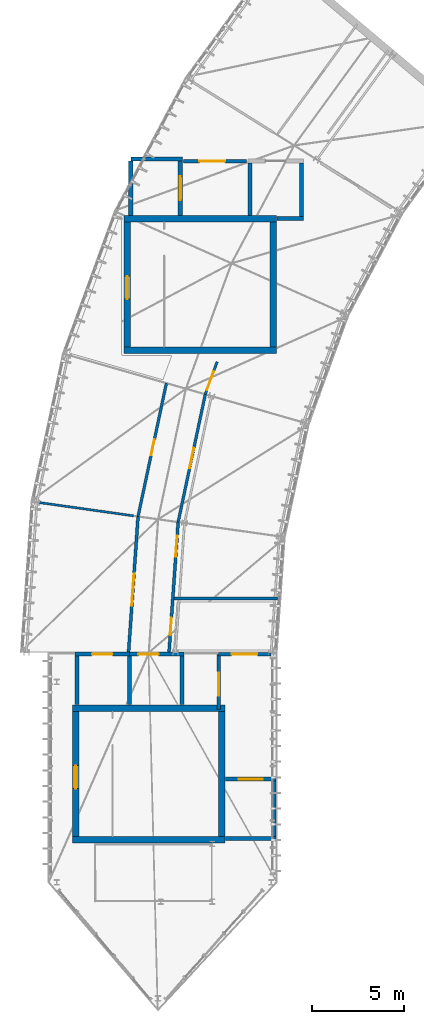
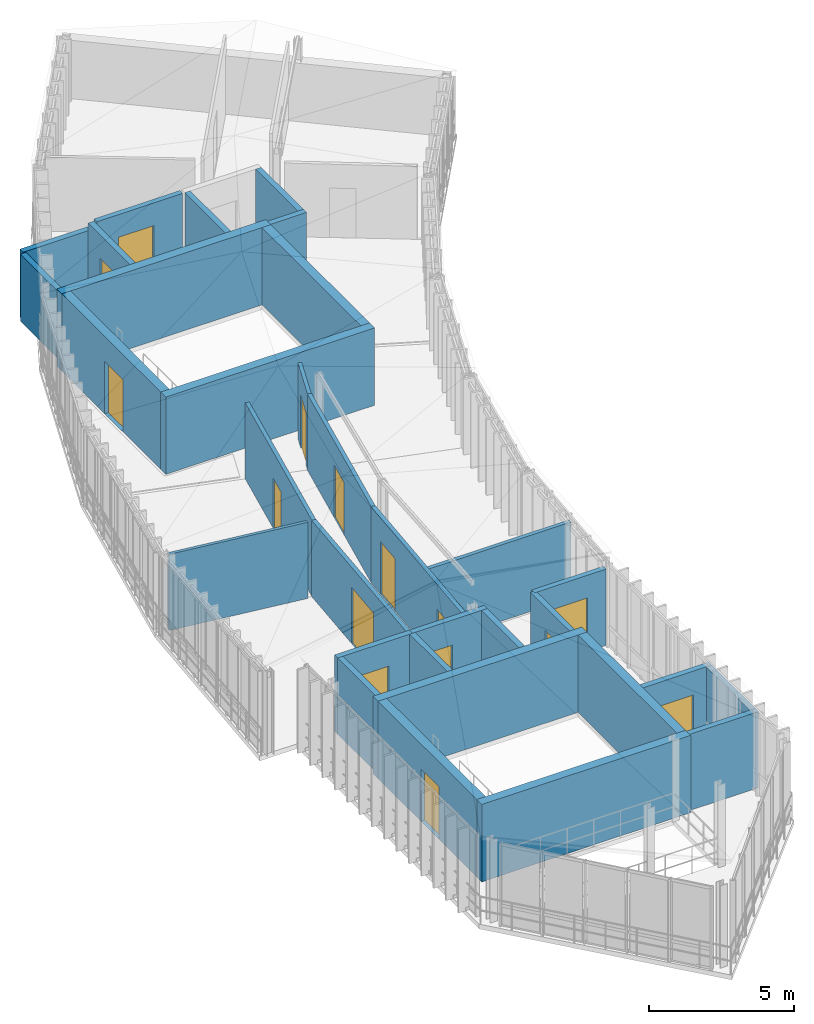
# One storey, part 14 of 18: 32 walls, 15 doors, 15 openings.
"""IFC4 building model written with IfcOpenShell, lengths in metres."""

import ifcopenshell
import ifcopenshell.guid

model = None  # the IFC model being written
_history = None  # IfcOwnerHistory: only IFC2X3 demands one
_inside = {}  # id of a spatial element -> (the spatial element, [elements in it])
_under = {}  # id of a project, library or spatial element -> (it, [spatial elements below it])
_declared = {}  # id of a project -> (the project, [libraries it declares])
_typed = {}  # id of a type object -> (the type object, [elements of that type])
_made_of = {}  # id of a material, layer set ... -> (it, [elements and type objects made of it])


def new_model(schema):
    """Start an empty IFC model of exactly this schema.

    Asked for "IFC4X3", IfcOpenShell would pick the latest addendum, in which some entities
    have other attributes; the version numbers below select the first issue.
    IFC2X3 requires an IfcOwnerHistory on every rooted entity: one is made here for all.
    """
    global model, _history
    if schema == "IFC4X3":
        model = ifcopenshell.file(schema_version=(4, 3, 0, 0))
    else:
        model = ifcopenshell.file(schema=schema)
    _inside.clear()
    _under.clear()
    _declared.clear()
    _typed.clear()
    _made_of.clear()
    _history = None
    if model.schema == "IFC2X3":
        org = make("IfcOrganization", Name="unknown")
        user = make(
            "IfcPersonAndOrganization",
            ThePerson=make("IfcPerson", FamilyName="unknown"),
            TheOrganization=org,
        )
        app = make(
            "IfcApplication",
            ApplicationDeveloper=org,
            Version="unknown",
            ApplicationFullName="unknown",
            ApplicationIdentifier="unknown",
        )
        _history = make(
            "IfcOwnerHistory",
            OwningUser=user,
            OwningApplication=app,
            ChangeAction="ADDED",
            CreationDate=0,
        )
    return model


def make(cls, **values):
    """One entity of the class cls with the attributes given. An attribute that is None is left unset."""
    return model.create_entity(
        cls, **{name: value for name, value in values.items() if value is not None}
    )


def rooted(cls, **values):
    """An entity with a GlobalId (a new one), such as an element, a storey or a relation."""
    return make(cls, GlobalId=ifcopenshell.guid.new(), OwnerHistory=_history, **values)


def si_unit(unit_type, name, prefix=None):
    """IfcSIUnit, for example si_unit("LENGTHUNIT", "METRE", prefix="MILLI")."""
    return make("IfcSIUnit", UnitType=unit_type, Prefix=prefix, Name=name)


def assignment(units):
    """IfcUnitAssignment: the units of a project."""
    return None if units is None else make("IfcUnitAssignment", Units=units)


def point(xyz):
    """IfcCartesianPoint."""
    return None if xyz is None else make("IfcCartesianPoint", Coordinates=xyz)


def direction(xyz):
    """IfcDirection."""
    return None if xyz is None else make("IfcDirection", DirectionRatios=xyz)


def frame(location, z_axis=None, x_axis=None):
    """IfcAxis2Placement3D, a coordinate frame: its origin and axes. An axis left out is left unset."""
    return make(
        "IfcAxis2Placement3D",
        Location=point(location),
        Axis=direction(z_axis),
        RefDirection=direction(x_axis),
    )


def frame_2d(location, x_axis=None):
    """IfcAxis2Placement2D, a coordinate frame in the plane: its origin and x axis."""
    return make(
        "IfcAxis2Placement2D", Location=point(location), RefDirection=direction(x_axis)
    )


def origin():
    """The frame at (0, 0, 0) with its axes left unset."""
    return frame((0.0, 0.0, 0.0))


def place(relative_to, where):
    """IfcLocalPlacement: puts the frame where relative to a parent placement (None: the world)."""
    return make(
        "IfcLocalPlacement", PlacementRelTo=relative_to, RelativePlacement=where
    )


def context(
    kind, dimensions, precision=None, world=None, true_north=None, identifier=None
):
    """IfcGeometricRepresentationContext, for example the 3D "Model" context."""
    return make(
        "IfcGeometricRepresentationContext",
        ContextIdentifier=identifier,
        ContextType=kind,
        CoordinateSpaceDimension=dimensions,
        Precision=precision,
        WorldCoordinateSystem=world,
        TrueNorth=true_north,
    )


def subcontext(parent, identifier, kind, view, scale=None):
    """IfcGeometricRepresentationSubContext, for example "Body" below "Model"."""
    return make(
        "IfcGeometricRepresentationSubContext",
        ContextIdentifier=identifier,
        ContextType=kind,
        ParentContext=parent,
        TargetScale=scale,
        TargetView=view,
    )


def project(units=None, contexts=None):
    """IfcProject with its units and contexts."""
    return rooted(
        "IfcProject",
        Name="project",
        RepresentationContexts=contexts,
        UnitsInContext=assignment(units),
    )


def spatial(cls, under=None, at=None, **own):
    """A site, building, storey or space (cls), placed at a placement, below another one or the project."""
    s = rooted(cls, ObjectPlacement=at, **own)
    if under is not None:
        _under.setdefault(under.id(), (under, []))[1].append(s)
    return s


def profile(cls, at=None, kind="AREA", **sizes):
    """A parametric profile (cls). Its sizes go by their IFC names, for example OverallWidth=200.0."""
    return make(cls, ProfileType=kind, Position=at, **sizes)


def rectangle(**sizes):
    """IfcRectangleProfileDef."""
    return profile("IfcRectangleProfileDef", **sizes)


def extrude(swept, where, along, depth):
    """IfcExtrudedAreaSolid: the profile swept, set in the frame where, extruded along a direction by depth."""
    return make(
        "IfcExtrudedAreaSolid",
        SweptArea=swept,
        Position=where,
        ExtrudedDirection=direction(along),
        Depth=depth,
    )


def shape(context_of_items, identifier, shape_type, items):
    """IfcShapeRepresentation: the items that make up one representation, for example the "Body"."""
    return make(
        "IfcShapeRepresentation",
        ContextOfItems=context_of_items,
        RepresentationIdentifier=identifier,
        RepresentationType=shape_type,
        Items=items,
    )


def material(Name=None, Category=None):
    """IfcMaterial."""
    return make("IfcMaterial", Name=Name, Category=Category)


def layer(
    of_material, thickness, ventilated=None, Name=None, Category=None, Priority=None
):
    """IfcMaterialLayer: one layer of a wall or slab, of a material (None: an air gap)."""
    return make(
        "IfcMaterialLayer",
        Material=of_material,
        LayerThickness=thickness,
        IsVentilated=ventilated,
        Name=Name,
        Category=Category,
        Priority=Priority,
    )


def layer_set(layers, Name=None):
    """IfcMaterialLayerSet."""
    return make("IfcMaterialLayerSet", MaterialLayers=layers, LayerSetName=Name)


def made_of(thing, what):
    """Note that an element or type object is made of a material, layer set ...; save() writes the relation."""
    if what is not None:
        _made_of.setdefault(what.id(), (what, []))[1].append(thing)
    return thing


def type_object(cls, material=None, **own):
    """A type object (cls), such as IfcWallType, which elements share."""
    return made_of(rooted(cls, **own), material)


def element(
    cls,
    number,
    at=None,
    inside=None,
    cuts=None,
    type_object=None,
    material=None,
    context=None,
    identifier="Body",
    shape_type=None,
    held_by="IfcProductDefinitionShape",
    body=None,
    shapes=None,
    **own,
):
    """One element of the class cls, such as IfcWall. Its Tag is "e" and its number.

    at: its placement. inside: the storey or other place that contains it. cuts: it is an
    opening in that element (IfcRelVoidsElement). A single representation is given by context,
    identifier, shape_type and body (its items); several are given by shapes. held_by: the class
    of the entity that holds the representations. save() writes the other relations.
    """
    e = rooted(cls, Tag="e%d" % number, ObjectPlacement=at, **own)
    if body is not None:
        shapes = [shape(context, identifier, shape_type, body)]
    if shapes is not None:
        e.Representation = make(held_by, Representations=shapes)
    if inside is not None:
        _inside.setdefault(inside.id(), (inside, []))[1].append(e)
    if cuts is not None:
        rooted(
            "IfcRelVoidsElement", RelatingBuildingElement=cuts, RelatedOpeningElement=e
        )
    if type_object is not None:
        _typed.setdefault(type_object.id(), (type_object, []))[1].append(e)
    return made_of(e, material)


def fill(opening, filler):
    """IfcRelFillsElement: the door or window that sits in an opening."""
    return rooted(
        "IfcRelFillsElement",
        RelatingOpeningElement=opening,
        RelatedBuildingElement=filler,
    )


def aggregate(whole, parts):
    """IfcRelAggregates: a whole, such as a stair, and the parts it consists of."""
    return rooted("IfcRelAggregates", RelatingObject=whole, RelatedObjects=parts)


def save(model, path):
    """Write the relations noted so far, then the file.

    IfcRelAggregates (storeys below a building ...), IfcRelContainedInSpatialStructure (elements
    in a storey), IfcRelDefinesByType, IfcRelAssociatesMaterial and IfcRelDeclares: one each for
    every whole, place, type object, material and project.
    """
    for whole, parts in _under.values():
        aggregate(whole, parts)
    for where, things in _inside.values():
        rooted(
            "IfcRelContainedInSpatialStructure",
            RelatedElements=things,
            RelatingStructure=where,
        )
    for kind, things in _typed.values():
        rooted("IfcRelDefinesByType", RelatedObjects=things, RelatingType=kind)
    for what, things in _made_of.values():
        rooted("IfcRelAssociatesMaterial", RelatedObjects=things, RelatingMaterial=what)
    for by, libraries in _declared.values():
        rooted("IfcRelDeclares", RelatingContext=by, RelatedDefinitions=libraries)
    model.write(path)


model = new_model("IFC4")

# Units and contexts
model_context = context("Model", 3, precision=1e-05, world=origin(), true_north=direction((0.0, 1.0)))
body_context = subcontext(model_context, "Body", "Model", "MODEL_VIEW")
ifc_project = project(units=[si_unit("LENGTHUNIT", "METRE"), si_unit("AREAUNIT", "SQUARE_METRE"), si_unit("VOLUMEUNIT", "CUBIC_METRE"), si_unit("PLANEANGLEUNIT", "RADIAN"), si_unit("MASSUNIT", "GRAM", prefix="KILO"), si_unit("THERMODYNAMICTEMPERATUREUNIT", "KELVIN"), si_unit("POWERUNIT", "WATT")], contexts=[model_context])

# Site, building, storey
site_placement = place(None, origin())
site = spatial("IfcSite", under=ifc_project, at=site_placement, CompositionType="ELEMENT")
building_placement = place(site_placement, origin())
building = spatial("IfcBuilding", under=site, at=building_placement, Name="Solvatero Civic Police Headquarters", CompositionType="ELEMENT")
storey_placement = place(building_placement, frame((0.0, 0.0, 29.39990234375)))
storey = spatial("IfcBuildingStorey", under=building, at=storey_placement, Name="L07", CompositionType="ELEMENT", Elevation=29.39990234375)

# Wall
ifc_material_1 = material(Name="Gypsum Acoustic Stud", Category="gypsum")
ifc_layer_1 = layer(ifc_material_1, 0.1201171875)
ifc_layer_set_1 = layer_set([ifc_layer_1], Name="Gypsum Acoustic Stud")
wall_type_1 = type_object("IfcWallType", Name="WL-PTN-120", PredefinedType="PARTITIONING", material=ifc_layer_set_1)
wall_1_placement = place(storey_placement, frame((41.169189453125, 33.4248046875, 0.0), z_axis=(0.0, 0.0, 1.0), x_axis=(-0.990266484291, 0.13918437445, 0.0)))
element("IfcWall", 1, at=wall_1_placement, inside=storey, type_object=wall_type_1, Name="Interior Partition WLP-L07-ARC-RAD-B11", PredefinedType="PARTITIONING", context=body_context, shape_type="SweptSolid", body=[
    extrude(rectangle(XDim=5.14990234375, YDim=0.1201171875, at=frame_2d((2.574951171875, 0.0))), origin(), (0.0, 0.0, 1.0), 3.2001953125),
])

# Wall, opening, door
ifc_material_2 = material(Name="Gypsum Double-Stud", Category="gypsum")
ifc_layer_2 = layer(ifc_material_2, 0.135009765625)
ifc_layer_set_2 = layer_set([ifc_layer_2], Name="Gypsum Double-Stud")
wall_type_2 = type_object("IfcWallType", Name="WL-PTN-135", PredefinedType="PARTITIONING", material=ifc_layer_set_2)
wall_2_placement = place(storey_placement, frame((45.716064453125, 41.800048828125, 0.0), z_axis=(0.0, 0.0, 1.0), x_axis=(-0.342003187451, -0.939698792046, 0.0)))
wall_2 = element("IfcWall", 2, at=wall_2_placement, inside=storey, type_object=wall_type_2, Name="Interior Partition WLP-L07-ARC-CIN-B10", PredefinedType="PARTITIONING", context=body_context, shape_type="SweptSolid", body=[
    extrude(rectangle(XDim=1.8837890625, YDim=0.135009765625, at=frame_2d((0.94189453125, 0.0))), origin(), (0.0, 0.0, 1.0), 3.2001953125),
])
opening_1_placement = place(wall_2_placement, frame((0.56396484375, 0.0, 0.0)))
opening_1 = element("IfcOpeningElement", 3, at=opening_1_placement, cuts=wall_2, Name="Opening ID-08", PredefinedType="OPENING", context=body_context, shape_type="SweptSolid", body=[
    extrude(rectangle(XDim=1.080078125, YDim=2.219970703125, at=frame_2d((0.5400390625, 1.10986328125))), frame((0.0, 0.077392578125, 0.0), z_axis=(0.0, -1.0, 0.0), x_axis=(1.0, 0.0, 0.0)), (0.0, 0.0, 1.0), 0.155029296875),
])
ifc_material_3 = material(Name="Powder-Coated Steel", Category="steel")
door_type_1 = type_object("IfcDoorType", Name="DR-LAB-108x222", OperationType="NOTDEFINED", PredefinedType="DOOR", material=ifc_material_3)
door_1_placement = place(opening_1_placement, origin())
door_1 = element("IfcDoor", 4, at=door_1_placement, inside=storey, type_object=door_type_1, Name="Interior Door DR-L07-ARC-IN-B10", OperationType="SINGLE_SWING_LEFT", OverallHeight=2.219970703125, OverallWidth=1.080078125, PredefinedType="DOOR", context=body_context, shape_type="SweptSolid", body=[
    extrude(rectangle(XDim=1.080078125, YDim=2.219970703125, at=frame_2d((0.5400390625, 1.10986328125))), frame((0.0, 0.02490234375, 0.0), z_axis=(0.0, -1.0, 0.0), x_axis=(1.0, 0.0, 0.0)), (0.0, 0.0, 1.0), 0.050048828125),
])
fill(opening_1, door_1)

ifc_layer_3 = layer(ifc_material_1, 0.14990234375)
ifc_layer_set_3 = layer_set([ifc_layer_3], Name="Gypsum Acoustic Stud")
wall_type_3 = type_object("IfcWallType", Name="WL-PTN-150", PredefinedType="PARTITIONING", material=ifc_layer_set_3)
wall_3_placement = place(storey_placement, frame((45.07177734375, 40.02978515625, 0.0), z_axis=(0.0, 0.0, 1.0), x_axis=(-0.207903987445, -0.978149238104, 0.0)))
wall_3 = element("IfcWall", 5, at=wall_3_placement, inside=storey, type_object=wall_type_3, Name="Interior Partition WLP-L07-ARC-CIN-B11", PredefinedType="PARTITIONING", context=body_context, shape_type="SweptSolid", body=[
    extrude(rectangle(XDim=7.10107421875, YDim=0.14990234375, at=frame_2d((3.550537109375, 0.0))), origin(), (0.0, 0.0, 1.0), 3.2001953125),
])
opening_2_placement = place(wall_3_placement, frame((2.98193359375, 0.0, 0.0)))
opening_2 = element("IfcOpeningElement", 6, at=opening_2_placement, cuts=wall_3, Name="Opening ID-09", PredefinedType="OPENING", context=body_context, shape_type="SweptSolid", body=[
    extrude(rectangle(XDim=1.1201171875, YDim=2.199951171875, at=frame_2d((0.56005859375, 1.10009765625))), frame((0.0, 0.0849609375, 0.0), z_axis=(0.0, -1.0, 0.0), x_axis=(1.0, 0.0, 0.0)), (0.0, 0.0, 1.0), 0.169921875),
])
door_type_2 = type_object("IfcDoorType", Name="DR-PLT-112x220", OperationType="NOTDEFINED", PredefinedType="DOOR", material=ifc_material_3)
door_2_placement = place(opening_2_placement, origin())
door_2 = element("IfcDoor", 7, at=door_2_placement, inside=storey, type_object=door_type_2, Name="Interior Door DR-L07-ARC-IN-B11", OperationType="SINGLE_SWING_RIGHT", OverallHeight=2.199951171875, OverallWidth=1.1201171875, PredefinedType="DOOR", context=body_context, shape_type="SweptSolid", body=[
    extrude(rectangle(XDim=1.1201171875, YDim=2.199951171875, at=frame_2d((0.56005859375, 1.10009765625))), frame((0.0, 0.02490234375, 0.0), z_axis=(0.0, -1.0, 0.0), x_axis=(1.0, 0.0, 0.0)), (0.0, 0.0, 1.0), 0.050048828125),
])
fill(opening_2, door_2)

wall_4_placement = place(storey_placement, frame((42.95703125, 40.63623046875, 0.0), z_axis=(0.0, 0.0, 1.0), x_axis=(-0.207921820376, -0.978145447575, 0.0)))
wall_4 = element("IfcWall", 8, at=wall_4_placement, inside=storey, type_object=wall_type_3, Name="Interior Partition WLP-L07-ARC-COUT-B11", PredefinedType="PARTITIONING", context=body_context, shape_type="SweptSolid", body=[
    extrude(rectangle(XDim=7.407958984375, YDim=0.14990234375, at=frame_2d((3.7041015625, 0.0))), origin(), (0.0, 0.0, 1.0), 3.2001953125),
])
opening_3_placement = place(wall_4_placement, frame((3.111083984375, 0.0, 0.0)))
opening_3 = element("IfcOpeningElement", 9, at=opening_3_placement, cuts=wall_4, Name="Opening ID-02", PredefinedType="OPENING", context=body_context, shape_type="SweptSolid", body=[
    extrude(rectangle(XDim=0.89990234375, YDim=2.10009765625, at=frame_2d((0.449951171875, 1.050048828125))), frame((0.0, 0.0849609375, 0.0), z_axis=(0.0, -1.0, 0.0), x_axis=(1.0, 0.0, 0.0)), (0.0, 0.0, 1.0), 0.169921875),
])
ifc_material_4 = material(Name="Acoustic Oak Timber Veneer", Category="wood")
door_type_3 = type_object("IfcDoorType", Name="DR-OFF-090x210", OperationType="NOTDEFINED", PredefinedType="DOOR", material=ifc_material_4)
door_3_placement = place(opening_3_placement, origin())
door_3 = element("IfcDoor", 10, at=door_3_placement, inside=storey, type_object=door_type_3, Name="Interior Door DR-L07-ARC-OUT-B11", OperationType="SINGLE_SWING_LEFT", OverallHeight=2.10009765625, OverallWidth=0.89990234375, PredefinedType="DOOR", context=body_context, shape_type="SweptSolid", body=[
    extrude(rectangle(XDim=0.89990234375, YDim=2.10009765625, at=frame_2d((0.449951171875, 1.050048828125))), frame((0.0, 0.02490234375, 0.0), z_axis=(0.0, -1.0, 0.0), x_axis=(1.0, 0.0, 0.0)), (0.0, 0.0, 1.0), 0.050048828125),
])
fill(opening_3, door_3)

# Wall
wall_5_placement = place(storey_placement, frame((43.374755859375, 28.929931640625, 0.0), z_axis=(0.0, 0.0, 1.0), x_axis=(1.0, 0.0, 0.0)))
element("IfcWall", 11, at=wall_5_placement, inside=storey, type_object=wall_type_3, Name="Interior Partition WLP-L07-ARC-WCDIV-B12", PredefinedType="PARTITIONING", context=body_context, shape_type="SweptSolid", body=[
    extrude(rectangle(XDim=5.630126953125, YDim=0.14990234375, at=frame_2d((2.81494140625, 0.0))), origin(), (0.0, 0.0, 1.0), 3.2001953125),
])

# Wall, openings, doors
ifc_material_5 = material(Name="Concrete Blockwork", Category="masonry")
ifc_layer_4 = layer(ifc_material_5, 0.1650390625)
ifc_layer_set_4 = layer_set([ifc_layer_4], Name="Concrete Blockwork")
wall_type_4 = type_object("IfcWallType", Name="WL-PTN-165", PredefinedType="PARTITIONING", material=ifc_layer_set_4)
wall_6_placement = place(storey_placement, frame((43.595458984375, 33.083984375, 0.0), z_axis=(0.0, 0.0, 1.0), x_axis=(-0.069756597752, -0.997564041588, 0.0)))
wall_6 = element("IfcWall", 12, at=wall_6_placement, inside=storey, type_object=wall_type_4, Name="Interior Partition WLP-L07-ARC-CIN-B12", PredefinedType="PARTITIONING", context=body_context, shape_type="SweptSolid", body=[
    extrude(rectangle(XDim=7.101318359375, YDim=0.1650390625, at=frame_2d((3.55078125, 0.0))), origin(), (0.0, 0.0, 1.0), 3.2001953125),
])
opening_4_placement = place(wall_6_placement, frame((5.200927734375, 0.0, 0.0)))
opening_4 = element("IfcOpeningElement", 13, at=opening_4_placement, cuts=wall_6, Name="Opening ID-04", PredefinedType="OPENING", context=body_context, shape_type="SweptSolid", body=[
    extrude(rectangle(XDim=0.949951171875, YDim=2.14990234375, at=frame_2d((0.47509765625, 1.074951171875))), frame((0.0, 0.092529296875, 0.0), z_axis=(0.0, -1.0, 0.0), x_axis=(1.0, 0.0, 0.0)), (0.0, 0.0, 1.0), 0.18505859375),
])
opening_5_placement = place(wall_6_placement, frame((0.75, 0.0, 0.0)))
opening_5 = element("IfcOpeningElement", 14, at=opening_5_placement, cuts=wall_6, Name="Opening ID-10", PredefinedType="OPENING", context=body_context, shape_type="SweptSolid", body=[
    extrude(rectangle(XDim=1.14990234375, YDim=2.199951171875, at=frame_2d((0.574951171875, 1.10009765625))), frame((0.0, 0.092529296875, 0.0), z_axis=(0.0, -1.0, 0.0), x_axis=(1.0, 0.0, 0.0)), (0.0, 0.0, 1.0), 0.18505859375),
])
door_type_4 = type_object("IfcDoorType", Name="DR-ACC-095x215", OperationType="NOTDEFINED", PredefinedType="DOOR", material=ifc_material_4)
door_4_placement = place(opening_4_placement, origin())
door_4 = element("IfcDoor", 15, at=door_4_placement, inside=storey, type_object=door_type_4, Name="Interior Door DR-L07-ARC-WC-B12", OperationType="SINGLE_SWING_RIGHT", OverallHeight=2.14990234375, OverallWidth=0.949951171875, PredefinedType="DOOR", context=body_context, shape_type="SweptSolid", body=[
    extrude(rectangle(XDim=0.949951171875, YDim=2.14990234375, at=frame_2d((0.47509765625, 1.074951171875))), frame((0.0, 0.02490234375, 0.0), z_axis=(0.0, -1.0, 0.0), x_axis=(1.0, 0.0, 0.0)), (0.0, 0.0, 1.0), 0.050048828125),
])
fill(opening_4, door_4)
door_type_5 = type_object("IfcDoorType", Name="DR-COR-115x220", OperationType="NOTDEFINED", PredefinedType="DOOR", material=ifc_material_3)
door_5_placement = place(opening_5_placement, origin())
door_5 = element("IfcDoor", 16, at=door_5_placement, inside=storey, type_object=door_type_5, Name="Interior Door DR-L07-ARC-IN-B12", OperationType="SINGLE_SWING_LEFT", OverallHeight=2.199951171875, OverallWidth=1.14990234375, PredefinedType="DOOR", context=body_context, shape_type="SweptSolid", body=[
    extrude(rectangle(XDim=1.14990234375, YDim=2.199951171875, at=frame_2d((0.574951171875, 1.10009765625))), frame((0.0, 0.02490234375, 0.0), z_axis=(0.0, -1.0, 0.0), x_axis=(1.0, 0.0, 0.0)), (0.0, 0.0, 1.0), 0.050048828125),
])
fill(opening_5, door_5)

# Wall, opening, door
wall_7_placement = place(storey_placement, frame((41.416748046875, 33.39013671875, 0.0), z_axis=(0.0, 0.0, 1.0), x_axis=(-0.069766817412, -0.997563326906, 0.0)))
wall_7 = element("IfcWall", 17, at=wall_7_placement, inside=storey, type_object=wall_type_4, Name="Interior Partition WLP-L07-ARC-COUT-B12", PredefinedType="PARTITIONING", context=body_context, shape_type="SweptSolid", body=[
    extrude(rectangle(XDim=7.408203125, YDim=0.1650390625, at=frame_2d((3.7041015625, 0.0))), origin(), (0.0, 0.0, 1.0), 3.2001953125),
])
opening_6_placement = place(wall_7_placement, frame((3.111083984375, 0.0, 0.0)))
opening_6 = element("IfcOpeningElement", 18, at=opening_6_placement, cuts=wall_7, Name="Opening ID-17", PredefinedType="OPENING", context=body_context, shape_type="SweptSolid", body=[
    extrude(rectangle(XDim=1.760009765625, YDim=2.360107421875, at=frame_2d((0.8798828125, 1.18017578125))), frame((0.0, 0.092529296875, 0.0), z_axis=(0.0, -1.0, 0.0), x_axis=(1.0, 0.0, 0.0)), (0.0, 0.0, 1.0), 0.18505859375),
])
door_type_6 = type_object("IfcDoorType", Name="DR-DBL-176x236", OperationType="NOTDEFINED", PredefinedType="DOOR", material=ifc_material_3)
door_6_placement = place(opening_6_placement, origin())
door_6 = element("IfcDoor", 19, at=door_6_placement, inside=storey, type_object=door_type_6, Name="Interior Door DR-L07-ARC-OUT-B12", OperationType="DOUBLE_DOOR_SINGLE_SWING", OverallHeight=2.360107421875, OverallWidth=1.760009765625, PredefinedType="DOOR", context=body_context, shape_type="SweptSolid", body=[
    extrude(rectangle(XDim=1.760009765625, YDim=2.360107421875, at=frame_2d((0.8798828125, 1.18017578125))), frame((0.0, 0.02490234375, 0.0), z_axis=(0.0, -1.0, 0.0), x_axis=(1.0, 0.0, 0.0)), (0.0, 0.0, 1.0), 0.050048828125),
])
fill(opening_6, door_6)

ifc_layer_5 = layer(ifc_material_5, 0.199951171875)
ifc_layer_set_5 = layer_set([ifc_layer_5], Name="Concrete Blockwork")
wall_type_5 = type_object("IfcWallType", Name="WL-PTN-200", PredefinedType="PARTITIONING", material=ifc_layer_set_5)
wall_8_placement = place(storey_placement, frame((45.800048828125, 22.89990234375, 0.0), z_axis=(0.0, 0.0, 1.0), x_axis=(0.0, 1.0, 0.0)))
wall_8 = element("IfcWall", 20, at=wall_8_placement, inside=storey, type_object=wall_type_5, Name="Interior Partition WLP-FFL-C1-L07-W", PredefinedType="PARTITIONING", context=body_context, shape_type="SweptSolid", body=[
    extrude(rectangle(XDim=3.0, YDim=0.199951171875, at=frame_2d((1.5, 0.0))), origin(), (0.0, 0.0, 1.0), 3.2001953125),
])
opening_7_placement = place(wall_8_placement, frame((0.75, 0.0, 0.0)))
opening_7 = element("IfcOpeningElement", 21, at=opening_7_placement, cuts=wall_8, Name="Opening FD-01", PredefinedType="OPENING", context=body_context, shape_type="SweptSolid", body=[
    extrude(rectangle(XDim=1.25, YDim=2.199951171875, at=frame_2d((0.625, 1.10009765625))), frame((0.0, 0.10986328125, 0.0), z_axis=(0.0, -1.0, 0.0), x_axis=(1.0, 0.0, 0.0)), (0.0, 0.0, 1.0), 0.219970703125),
])
door_type_7 = type_object("IfcDoorType", Name="DR-STR-125x220", OperationType="NOTDEFINED", PredefinedType="DOOR", material=ifc_material_3)
door_7_placement = place(opening_7_placement, origin())
door_7 = element("IfcDoor", 22, at=door_7_placement, inside=storey, type_object=door_type_7, Name="Interior Door DR-FFL-C1-L07-W", OperationType="SINGLE_SWING_LEFT", OverallHeight=2.199951171875, OverallWidth=1.25, PredefinedType="DOOR", context=body_context, shape_type="SweptSolid", body=[
    extrude(rectangle(XDim=1.25, YDim=2.199951171875, at=frame_2d((0.625, 1.10009765625))), frame((0.0, 0.02490234375, 0.0), z_axis=(0.0, -1.0, 0.0), x_axis=(1.0, 0.0, 0.0)), (0.0, 0.0, 1.0), 0.050048828125),
])
fill(opening_7, door_7)

wall_9_placement = place(storey_placement, frame((45.800048828125, 25.89990234375, 0.0), z_axis=(0.0, 0.0, 1.0), x_axis=(1.0, 0.0, 0.0)))
wall_9 = element("IfcWall", 23, at=wall_9_placement, inside=storey, type_object=wall_type_5, Name="Interior Partition WLP-FFL-C1-L07-N", PredefinedType="PARTITIONING", context=body_context, shape_type="SweptSolid", body=[
    extrude(rectangle(XDim=2.849853515625, YDim=0.199951171875, at=frame_2d((1.4248046875, 0.0))), origin(), (0.0, 0.0, 1.0), 3.2001953125),
])
opening_8_placement = place(wall_9_placement, frame((0.699951171875, 0.0, 0.0)))
opening_8 = element("IfcOpeningElement", 24, at=opening_8_placement, cuts=wall_9, Name="Opening FD-02", PredefinedType="OPENING", context=body_context, shape_type="SweptSolid", body=[
    extrude(rectangle(XDim=1.39990234375, YDim=2.25, at=frame_2d((0.699951171875, 1.125))), frame((0.0, 0.10986328125, 0.0), z_axis=(0.0, -1.0, 0.0), x_axis=(1.0, 0.0, 0.0)), (0.0, 0.0, 1.0), 0.219970703125),
])
door_type_8 = type_object("IfcDoorType", Name="DR-LOB-140x225", OperationType="NOTDEFINED", PredefinedType="DOOR", material=ifc_material_3)
door_8_placement = place(opening_8_placement, origin())
door_8 = element("IfcDoor", 25, at=door_8_placement, inside=storey, type_object=door_type_8, Name="Interior Door DR-FFL-C1-L07-ACC", OperationType="DOUBLE_DOOR_SINGLE_SWING", OverallHeight=2.25, OverallWidth=1.39990234375, PredefinedType="DOOR", context=body_context, shape_type="SweptSolid", body=[
    extrude(rectangle(XDim=1.39990234375, YDim=2.25, at=frame_2d((0.699951171875, 1.125))), frame((0.0, 0.02490234375, 0.0), z_axis=(0.0, -1.0, 0.0), x_axis=(1.0, 0.0, 0.0)), (0.0, 0.0, 1.0), 0.050048828125),
])
fill(opening_8, door_8)

wall_10_placement = place(storey_placement, frame((43.89990234375, 52.699951171875, 0.0), z_axis=(0.0, 0.0, 1.0), x_axis=(1.0, 0.0, 0.0)))
wall_10 = element("IfcWall", 26, at=wall_10_placement, inside=storey, type_object=wall_type_5, Name="Interior Partition WLP-FFL-C2-L07-N", PredefinedType="PARTITIONING", context=body_context, shape_type="SweptSolid", body=[
    extrude(rectangle(XDim=3.400146484375, YDim=0.199951171875, at=frame_2d((1.7001953125, 0.0))), origin(), (0.0, 0.0, 1.0), 3.2001953125),
])
opening_9_placement = place(wall_10_placement, frame((0.85009765625, 0.0, 0.0)))
opening_9 = element("IfcOpeningElement", 27, at=opening_9_placement, cuts=wall_10, Name="Opening FD-02", PredefinedType="OPENING", context=body_context, shape_type="SweptSolid", body=[
    extrude(rectangle(XDim=1.39990234375, YDim=2.25, at=frame_2d((0.699951171875, 1.125))), frame((0.0, 0.10986328125, 0.0), z_axis=(0.0, -1.0, 0.0), x_axis=(1.0, 0.0, 0.0)), (0.0, 0.0, 1.0), 0.219970703125),
])
door_9_placement = place(opening_9_placement, origin())
door_9 = element("IfcDoor", 28, at=door_9_placement, inside=storey, type_object=door_type_8, Name="Interior Door DR-FFL-C2-L07-ACC", OperationType="DOUBLE_DOOR_SINGLE_SWING", OverallHeight=2.25, OverallWidth=1.39990234375, PredefinedType="DOOR", context=body_context, shape_type="SweptSolid", body=[
    extrude(rectangle(XDim=1.39990234375, YDim=2.25, at=frame_2d((0.699951171875, 1.125))), frame((0.0, 0.02490234375, 0.0), z_axis=(0.0, -1.0, 0.0), x_axis=(1.0, 0.0, 0.0)), (0.0, 0.0, 1.0), 0.050048828125),
])
fill(opening_9, door_9)

# Wall
ifc_material_6 = material(Name="Concrete C35/45", Category="concrete")
ifc_layer_6 = layer(ifc_material_6, 0.219970703125)
ifc_layer_set_6 = layer_set([ifc_layer_6], Name="Concrete C35/45")
wall_type_6 = type_object("IfcWallType", Name="WL-SHF-220", PredefinedType="PARTITIONING", material=ifc_layer_set_6)
wall_11_placement = place(storey_placement, frame((46.159912109375, 15.889892578125, 0.0), z_axis=(0.0, 0.0, 1.0), x_axis=(1.0, 0.0, 0.0)))
element("IfcWall", 29, at=wall_11_placement, inside=storey, type_object=wall_type_6, Name="Lift Shaft Wall WLS-FL-01-L07-S", PredefinedType="PARTITIONING", context=body_context, shape_type="SweptSolid", body=[
    extrude(rectangle(XDim=2.760009765625, YDim=0.219970703125, at=frame_2d((1.3798828125, 0.0))), origin(), (0.0, 0.0, 1.0), 3.2001953125),
])

# Wall, opening, door
wall_12_placement = place(storey_placement, frame((46.159912109375, 19.110107421875, 0.0), z_axis=(0.0, 0.0, 1.0), x_axis=(1.0, 0.0, 0.0)))
wall_12 = element("IfcWall", 30, at=wall_12_placement, inside=storey, type_object=wall_type_6, Name="Lift Shaft Wall WLS-FL-01-L07-N", PredefinedType="PARTITIONING", context=body_context, shape_type="SweptSolid", body=[
    extrude(rectangle(XDim=2.760009765625, YDim=0.219970703125, at=frame_2d((1.3798828125, 0.0))), origin(), (0.0, 0.0, 1.0), 3.2001953125),
])
opening_10_placement = place(wall_12_placement, frame((0.72998046875, 0.0, 0.0)))
opening_10 = element("IfcOpeningElement", 31, at=opening_10_placement, cuts=wall_12, Name="Opening LD-02", PredefinedType="OPENING", context=body_context, shape_type="SweptSolid", body=[
    extrude(rectangle(XDim=1.300048828125, YDim=2.199951171875, at=frame_2d((0.64990234375, 1.10009765625))), frame((0.0, 0.119873046875, 0.0), z_axis=(0.0, -1.0, 0.0), x_axis=(1.0, 0.0, 0.0)), (0.0, 0.0, 1.0), 0.239990234375),
])
ifc_material_7 = material(Name="Stainless Steel Grade 316", Category="steel")
door_type_9 = type_object("IfcDoorType", Name="DR-LFT-130x220", OperationType="DOUBLE_DOOR_SLIDING", PredefinedType="DOOR", material=ifc_material_7)
door_10_placement = place(opening_10_placement, origin())
door_10 = element("IfcDoor", 32, at=door_10_placement, inside=storey, type_object=door_type_9, Name="Interior Door DR-LFT-FL-01-L07", OperationType="DOUBLE_DOOR_SLIDING", OverallHeight=2.199951171875, OverallWidth=1.300048828125, PredefinedType="DOOR", context=body_context, shape_type="SweptSolid", body=[
    extrude(rectangle(XDim=1.300048828125, YDim=2.199951171875, at=frame_2d((0.64990234375, 1.10009765625))), frame((0.0, 0.02490234375, 0.0), z_axis=(0.0, -1.0, 0.0), x_axis=(1.0, 0.0, 0.0)), (0.0, 0.0, 1.0), 0.050048828125),
])
fill(opening_10, door_10)

# Wall
wall_13_placement = place(storey_placement, frame((48.81005859375, 16.0, 0.0), z_axis=(0.0, 0.0, 1.0), x_axis=(0.0, 1.0, 0.0)))
element("IfcWall", 33, at=wall_13_placement, inside=storey, type_object=wall_type_6, Name="Lift Shaft Wall WLS-FL-01-L07-E", PredefinedType="PARTITIONING", context=body_context, shape_type="SweptSolid", body=[
    extrude(rectangle(XDim=3.0, YDim=0.219970703125, at=frame_2d((1.5, 0.0))), origin(), (0.0, 0.0, 1.0), 3.2001953125),
])

# Wall, opening, door
wall_14_placement = place(storey_placement, frame((37.97998046875, 25.909912109375, 0.0), z_axis=(0.0, 0.0, 1.0), x_axis=(1.0, 0.0, 0.0)))
wall_14 = element("IfcWall", 34, at=wall_14_placement, inside=storey, type_object=wall_type_6, Name="Lift Shaft Wall WLS-LP-01-L07-N", PredefinedType="PARTITIONING", context=body_context, shape_type="SweptSolid", body=[
    extrude(rectangle(XDim=2.969970703125, YDim=0.219970703125, at=frame_2d((1.48486328125, 0.0))), origin(), (0.0, 0.0, 1.0), 3.2001953125),
])
opening_11_placement = place(wall_14_placement, frame((0.93505859375, 0.0, 0.0)))
opening_11 = element("IfcOpeningElement", 35, at=opening_11_placement, cuts=wall_14, Name="Opening LD-01", PredefinedType="OPENING", context=body_context, shape_type="SweptSolid", body=[
    extrude(rectangle(XDim=1.10009765625, YDim=2.14990234375, at=frame_2d((0.550048828125, 1.074951171875))), frame((0.0, 0.119873046875, 0.0), z_axis=(0.0, -1.0, 0.0), x_axis=(1.0, 0.0, 0.0)), (0.0, 0.0, 1.0), 0.239990234375),
])
door_type_10 = type_object("IfcDoorType", Name="DR-LFT-110x215", OperationType="DOUBLE_DOOR_SLIDING", PredefinedType="DOOR", material=ifc_material_7)
door_11_placement = place(opening_11_placement, origin())
door_11 = element("IfcDoor", 36, at=door_11_placement, inside=storey, type_object=door_type_10, Name="Interior Door DR-LFT-LP-01-L07", OperationType="DOUBLE_DOOR_SLIDING", OverallHeight=2.14990234375, OverallWidth=1.10009765625, PredefinedType="DOOR", context=body_context, shape_type="SweptSolid", body=[
    extrude(rectangle(XDim=1.10009765625, YDim=2.14990234375, at=frame_2d((0.550048828125, 1.074951171875))), frame((0.0, 0.02490234375, 0.0), z_axis=(0.0, -1.0, 0.0), x_axis=(1.0, 0.0, 0.0)), (0.0, 0.0, 1.0), 0.050048828125),
])
fill(opening_11, door_11)

# Walls
for number, where, z_axis, x_axis, name in (
    (37, (38.090087890625, 23.159912109375, 0.0), (0.0, 0.0, 1.0), (0.0, 1.0, 0.0), "Lift Shaft Wall WLS-LP-01-L07-W"),
    (38, (40.949951171875, 23.159912109375, 0.0), (0.0, 0.0, 1.0), (0.0, 1.0, 0.0), "Lift Shaft Wall WLS-LP-01-L07-E"),
):
    element("IfcWall", number, at=place(storey_placement, frame(where, z_axis=z_axis, x_axis=x_axis)), inside=storey, type_object=wall_type_6, Name=name, PredefinedType="PARTITIONING", context=body_context, shape_type="SweptSolid", body=[
        extrude(rectangle(XDim=2.64013671875, YDim=0.219970703125, at=frame_2d((1.320068359375, 0.0))), origin(), (0.0, 0.0, 1.0), 3.2001953125),
    ])

# Wall, opening, door
wall_15_placement = place(storey_placement, frame((40.949951171875, 25.909912109375, 0.0), z_axis=(0.0, 0.0, 1.0), x_axis=(1.0, 0.0, 0.0)))
wall_15 = element("IfcWall", 39, at=wall_15_placement, inside=storey, type_object=wall_type_6, Name="Lift Shaft Wall WLS-LP-02-L07-N", PredefinedType="PARTITIONING", context=body_context, shape_type="SweptSolid", body=[
    extrude(rectangle(XDim=2.969970703125, YDim=0.219970703125, at=frame_2d((1.48486328125, 0.0))), origin(), (0.0, 0.0, 1.0), 3.2001953125),
])
opening_12_placement = place(wall_15_placement, frame((0.485107421875, 0.0, 0.0)))
opening_12 = element("IfcOpeningElement", 40, at=opening_12_placement, cuts=wall_15, Name="Opening LD-01", PredefinedType="OPENING", context=body_context, shape_type="SweptSolid", body=[
    extrude(rectangle(XDim=1.10009765625, YDim=2.14990234375, at=frame_2d((0.550048828125, 1.074951171875))), frame((0.0, 0.119873046875, 0.0), z_axis=(0.0, -1.0, 0.0), x_axis=(1.0, 0.0, 0.0)), (0.0, 0.0, 1.0), 0.239990234375),
])
door_12_placement = place(opening_12_placement, origin())
door_12 = element("IfcDoor", 41, at=door_12_placement, inside=storey, type_object=door_type_10, Name="Interior Door DR-LFT-LP-02-L07", OperationType="DOUBLE_DOOR_SLIDING", OverallHeight=2.14990234375, OverallWidth=1.10009765625, PredefinedType="DOOR", context=body_context, shape_type="SweptSolid", body=[
    extrude(rectangle(XDim=1.10009765625, YDim=2.14990234375, at=frame_2d((0.550048828125, 1.074951171875))), frame((0.0, 0.02490234375, 0.0), z_axis=(0.0, -1.0, 0.0), x_axis=(1.0, 0.0, 0.0)), (0.0, 0.0, 1.0), 0.050048828125),
])
fill(opening_12, door_12)

# Walls
wall_16_placement = place(storey_placement, frame((43.81005859375, 23.159912109375, 0.0), z_axis=(0.0, 0.0, 1.0), x_axis=(0.0, 1.0, 0.0)))
element("IfcWall", 42, at=wall_16_placement, inside=storey, type_object=wall_type_6, Name="Lift Shaft Wall WLS-LP-02-L07-E", PredefinedType="PARTITIONING", context=body_context, shape_type="SweptSolid", body=[
    extrude(rectangle(XDim=2.64013671875, YDim=0.219970703125, at=frame_2d((1.320068359375, 0.0))), origin(), (0.0, 0.0, 1.0), 3.2001953125),
])
wall_17_placement = place(storey_placement, frame((41.02001953125, 52.81005859375, 0.0), z_axis=(0.0, 0.0, 1.0), x_axis=(1.0, 0.0, 0.0)))
element("IfcWall", 43, at=wall_17_placement, inside=storey, type_object=wall_type_6, Name="Lift Shaft Wall WLS-FL-02-L07-N", PredefinedType="PARTITIONING", context=body_context, shape_type="SweptSolid", body=[
    extrude(rectangle(XDim=2.800048828125, YDim=0.219970703125, at=frame_2d((1.39990234375, 0.0))), origin(), (0.0, 0.0, 1.0), 2.8662109375),
])
wall_18_placement = place(storey_placement, frame((41.02001953125, 49.760009765625, 0.0), z_axis=(0.0, 0.0, 1.0), x_axis=(0.0, 1.0, 0.0)))
element("IfcWall", 44, at=wall_18_placement, inside=storey, type_object=wall_type_6, Name="Lift Shaft Wall WLS-FL-02-L07-W", PredefinedType="PARTITIONING", context=body_context, shape_type="SweptSolid", body=[
    extrude(rectangle(XDim=2.93994140625, YDim=0.219970703125, at=frame_2d((1.469970703125, 0.0))), origin(), (0.0, 0.0, 1.0), 2.825927734375),
])

# Wall, opening, door
wall_19_placement = place(storey_placement, frame((43.7099609375, 49.760009765625, 0.0), z_axis=(0.0, 0.0, 1.0), x_axis=(0.0, 1.0, 0.0)))
wall_19 = element("IfcWall", 45, at=wall_19_placement, inside=storey, type_object=wall_type_6, Name="Lift Shaft Wall WLS-FL-02-L07-E", PredefinedType="PARTITIONING", context=body_context, shape_type="SweptSolid", body=[
    extrude(rectangle(XDim=2.93994140625, YDim=0.219970703125, at=frame_2d((1.469970703125, 0.0))), origin(), (0.0, 0.0, 1.0), 3.193603515625),
])
opening_13_placement = place(wall_19_placement, frame((0.820068359375, 0.0, 0.0)))
opening_13 = element("IfcOpeningElement", 46, at=opening_13_placement, cuts=wall_19, Name="Opening LD-02", PredefinedType="OPENING", context=body_context, shape_type="SweptSolid", body=[
    extrude(rectangle(XDim=1.300048828125, YDim=2.199951171875, at=frame_2d((0.64990234375, 1.10009765625))), frame((0.0, 0.119873046875, 0.0), z_axis=(0.0, -1.0, 0.0), x_axis=(1.0, 0.0, 0.0)), (0.0, 0.0, 1.0), 0.239990234375),
])
door_13_placement = place(opening_13_placement, origin())
door_13 = element("IfcDoor", 47, at=door_13_placement, inside=storey, type_object=door_type_9, Name="Interior Door DR-LFT-FL-02-L07", OperationType="DOUBLE_DOOR_SLIDING", OverallHeight=2.199951171875, OverallWidth=1.300048828125, PredefinedType="DOOR", context=body_context, shape_type="SweptSolid", body=[
    extrude(rectangle(XDim=1.300048828125, YDim=2.199951171875, at=frame_2d((0.64990234375, 1.10009765625))), frame((0.0, 0.02490234375, 0.0), z_axis=(0.0, -1.0, 0.0), x_axis=(1.0, 0.0, 0.0)), (0.0, 0.0, 1.0), 0.050048828125),
])
fill(opening_13, door_13)

# Walls
wall_20_placement = place(storey_placement, frame((48.9599609375, 49.590087890625, 0.0), z_axis=(0.0, 0.0, 1.0), x_axis=(1.0, 0.0, 0.0)))
element("IfcWall", 48, at=wall_20_placement, inside=storey, type_object=wall_type_6, Name="Lift Shaft Wall WLS-LP-03-L07-S", PredefinedType="PARTITIONING", context=body_context, shape_type="SweptSolid", body=[
    extrude(rectangle(XDim=1.4599609375, YDim=0.219970703125, at=frame_2d((0.72998046875, 0.0))), origin(), (0.0, 0.0, 1.0), 3.2001953125),
])
wall_21_placement = place(storey_placement, frame((47.489990234375, 49.760009765625, 0.0), z_axis=(0.0, 0.0, 1.0), x_axis=(0.0, 1.0, 0.0)))
element("IfcWall", 49, at=wall_21_placement, inside=storey, type_object=wall_type_6, Name="Lift Shaft Wall WLS-LP-03-L07-W", PredefinedType="PARTITIONING", context=body_context, shape_type="SweptSolid", body=[
    extrude(rectangle(XDim=2.840087890625, YDim=0.219970703125, at=frame_2d((1.419921875, 0.0))), origin(), (0.0, 0.0, 1.0), 3.2001953125),
])
wall_22_placement = place(storey_placement, frame((50.31005859375, 49.699951171875, 0.0), z_axis=(0.0, 0.0, 1.0), x_axis=(0.0, 1.0, 0.0)))
element("IfcWall", 50, at=wall_22_placement, inside=storey, type_object=wall_type_6, Name="Lift Shaft Wall WLS-LP-03-L07-E", PredefinedType="PARTITIONING", context=body_context, shape_type="SweptSolid", body=[
    extrude(rectangle(XDim=2.900146484375, YDim=0.219970703125, at=frame_2d((1.4501953125, 0.0))), origin(), (0.0, 0.0, 1.0), 3.2001953125),
])
ifc_material_8 = material(Name="Concrete C40/50", Category="concrete")
ifc_layer_7 = layer(ifc_material_8, 0.35009765625)
ifc_layer_set_7 = layer_set([ifc_layer_7], Name="Concrete C40/50")
wall_type_7 = type_object("IfcWallType", Name="WL-SHR-350", PredefinedType="SHEAR", material=ifc_layer_set_7)
for number, where, z_axis, x_axis, name in (
    (51, (37.85009765625, 15.824951171875, 0.0), (0.0, 0.0, 1.0), (1.0, 0.0, 0.0), "Core C1 Shear Wall S L07"),
    (52, (37.85009765625, 22.97509765625, 0.0), (0.0, 0.0, 1.0), (1.0, 0.0, 0.0), "Core C1 Shear Wall N L07"),
):
    element("IfcWall", number, at=place(storey_placement, frame(where, z_axis=z_axis, x_axis=x_axis)), inside=storey, type_object=wall_type_7, Name=name, PredefinedType="SHEAR", context=body_context, shape_type="SweptSolid", body=[
        extrude(rectangle(XDim=8.2998046875, YDim=0.35009765625, at=frame_2d((4.14990234375, 0.0))), origin(), (0.0, 0.0, 1.0), 3.25),
    ])

# Wall, opening, door
wall_23_placement = place(storey_placement, frame((38.02490234375, 16.0, 0.0), z_axis=(0.0, 0.0, 1.0), x_axis=(0.0, 1.0, 0.0)))
wall_23 = element("IfcWall", 53, at=wall_23_placement, inside=storey, type_object=wall_type_7, Name="Core C1 Shear Wall W L07", PredefinedType="SHEAR", context=body_context, shape_type="SweptSolid", body=[
    extrude(rectangle(XDim=6.800048828125, YDim=0.35009765625, at=frame_2d((3.39990234375, 0.0))), origin(), (0.0, 0.0, 1.0), 3.25),
])
opening_14_placement = place(wall_23_placement, frame((2.60009765625, 0.0, 0.0)))
opening_14 = element("IfcOpeningElement", 54, at=opening_14_placement, cuts=wall_23, Name="Opening FD-01", PredefinedType="OPENING", context=body_context, shape_type="SweptSolid", body=[
    extrude(rectangle(XDim=1.25, YDim=2.199951171875, at=frame_2d((0.625, 1.10009765625))), frame((0.0, 0.18505859375, 0.0), z_axis=(0.0, -1.0, 0.0), x_axis=(1.0, 0.0, 0.0)), (0.0, 0.0, 1.0), 0.3701171875),
])
door_14_placement = place(opening_14_placement, origin())
door_14 = element("IfcDoor", 55, at=door_14_placement, inside=storey, type_object=door_type_7, Name="Interior Door DR-STR-C1-L07", OperationType="SINGLE_SWING_LEFT", OverallHeight=2.199951171875, OverallWidth=1.25, PredefinedType="DOOR", context=body_context, shape_type="SweptSolid", body=[
    extrude(rectangle(XDim=1.25, YDim=2.199951171875, at=frame_2d((0.625, 1.10009765625))), frame((0.0, 0.02490234375, 0.0), z_axis=(0.0, -1.0, 0.0), x_axis=(1.0, 0.0, 0.0)), (0.0, 0.0, 1.0), 0.050048828125),
])
fill(opening_14, door_14)

# Walls
wall_24_placement = place(storey_placement, frame((45.97509765625, 16.0, 0.0), z_axis=(0.0, 0.0, 1.0), x_axis=(0.0, 1.0, 0.0)))
element("IfcWall", 56, at=wall_24_placement, inside=storey, type_object=wall_type_7, Name="Core C1 Shear Wall E L07", PredefinedType="SHEAR", context=body_context, shape_type="SweptSolid", body=[
    extrude(rectangle(XDim=6.800048828125, YDim=0.35009765625, at=frame_2d((3.39990234375, 0.0))), origin(), (0.0, 0.0, 1.0), 3.25),
])
for number, where, z_axis, x_axis, name in (
    (57, (40.64990234375, 42.425048828125, 0.0), (0.0, 0.0, 1.0), (1.0, 0.0, 0.0), "Core C2 Shear Wall S L07"),
    (58, (40.64990234375, 49.574951171875, 0.0), (0.0, 0.0, 1.0), (1.0, 0.0, 0.0), "Core C2 Shear Wall N L07"),
):
    element("IfcWall", number, at=place(storey_placement, frame(where, z_axis=z_axis, x_axis=x_axis)), inside=storey, type_object=wall_type_7, Name=name, PredefinedType="SHEAR", context=body_context, shape_type="SweptSolid", body=[
        extrude(rectangle(XDim=8.300048828125, YDim=0.35009765625, at=frame_2d((4.14990234375, 0.0))), origin(), (0.0, 0.0, 1.0), 3.25),
    ])

# Wall, opening, door
wall_25_placement = place(storey_placement, frame((40.824951171875, 42.60009765625, 0.0), z_axis=(0.0, 0.0, 1.0), x_axis=(0.0, 1.0, 0.0)))
wall_25 = element("IfcWall", 59, at=wall_25_placement, inside=storey, type_object=wall_type_7, Name="Core C2 Shear Wall W L07", PredefinedType="SHEAR", context=body_context, shape_type="SweptSolid", body=[
    extrude(rectangle(XDim=6.7998046875, YDim=0.35009765625, at=frame_2d((3.39990234375, 0.0))), origin(), (0.0, 0.0, 1.0), 3.25),
])
opening_15_placement = place(wall_25_placement, frame((2.60009765625, 0.0, 0.0)))
opening_15 = element("IfcOpeningElement", 60, at=opening_15_placement, cuts=wall_25, Name="Opening FD-01", PredefinedType="OPENING", context=body_context, shape_type="SweptSolid", body=[
    extrude(rectangle(XDim=1.25, YDim=2.199951171875, at=frame_2d((0.625, 1.10009765625))), frame((0.0, 0.18505859375, 0.0), z_axis=(0.0, -1.0, 0.0), x_axis=(1.0, 0.0, 0.0)), (0.0, 0.0, 1.0), 0.3701171875),
])
door_15_placement = place(opening_15_placement, origin())
door_15 = element("IfcDoor", 61, at=door_15_placement, inside=storey, type_object=door_type_7, Name="Interior Door DR-STR-C2-L07", OperationType="SINGLE_SWING_LEFT", OverallHeight=2.199951171875, OverallWidth=1.25, PredefinedType="DOOR", context=body_context, shape_type="SweptSolid", body=[
    extrude(rectangle(XDim=1.25, YDim=2.199951171875, at=frame_2d((0.625, 1.10009765625))), frame((0.0, 0.02490234375, 0.0), z_axis=(0.0, -1.0, 0.0), x_axis=(1.0, 0.0, 0.0)), (0.0, 0.0, 1.0), 0.050048828125),
])
fill(opening_15, door_15)

# Wall
wall_26_placement = place(storey_placement, frame((48.77490234375, 42.60009765625, 0.0), z_axis=(0.0, 0.0, 1.0), x_axis=(0.0, 1.0, 0.0)))
element("IfcWall", 62, at=wall_26_placement, inside=storey, type_object=wall_type_7, Name="Core C2 Shear Wall E L07", PredefinedType="SHEAR", context=body_context, shape_type="SweptSolid", body=[
    extrude(rectangle(XDim=6.7998046875, YDim=0.35009765625, at=frame_2d((3.39990234375, 0.0))), origin(), (0.0, 0.0, 1.0), 3.25),
])

save(model, "model.ifc")
